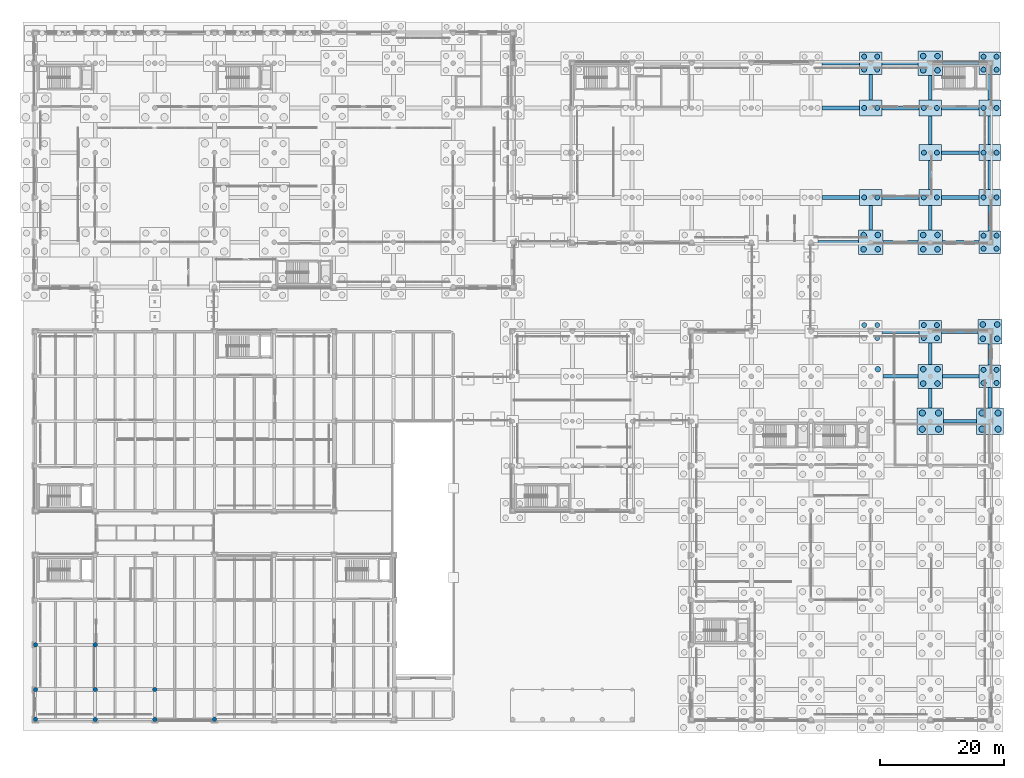
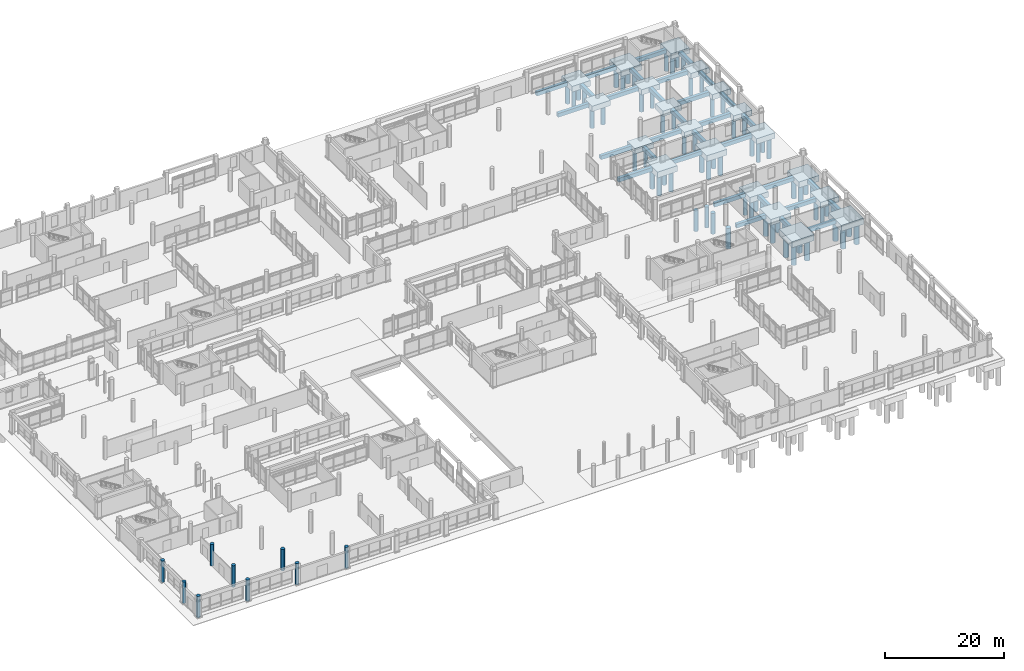
# One storey, part 9 of 196: 68 piles, 52 footings, 9 columns.
"""IFC4 building model written with IfcOpenShell, lengths in metres."""

from ifc_helpers import new_model, si_unit, direction, frame, origin, origin_2d, place, context, subcontext, project, spatial, rectangle, circle, extrude, material, material_profile, profile_set, type_object, element, save


model = new_model("IFC4")

# Units and contexts
model_context = context("Model", 3, precision=1e-05, world=origin(), true_north=direction((0.0, 1.0)))
body_context = subcontext(model_context, "Body", "Model", "MODEL_VIEW")
ifc_project = project(units=[si_unit("LENGTHUNIT", "METRE"), si_unit("AREAUNIT", "SQUARE_METRE"), si_unit("VOLUMEUNIT", "CUBIC_METRE"), si_unit("PLANEANGLEUNIT", "RADIAN"), si_unit("MASSUNIT", "GRAM", prefix="KILO")], contexts=[model_context])

# Site, building, storey
site_placement = place(None, origin())
site = spatial("IfcSite", under=ifc_project, at=site_placement, CompositionType="ELEMENT")
building_placement = place(site_placement, origin())
building = spatial("IfcBuilding", under=site, at=building_placement, Name="Asteropetra Specialist Clinic", CompositionType="ELEMENT")
storey_placement = place(building_placement, origin())
storey = spatial("IfcBuildingStorey", under=building, at=storey_placement, Name="L00", CompositionType="ELEMENT", Elevation=0.0)

# Footings
ifc_material_1 = material(Name="Concrete C35/45", Category="concrete")
ifc_material_profile_1 = material_profile(ifc_material_1, rectangle(XDim=0.60009765625, YDim=0.800048828125, at=origin_2d()), Name="FB 600x800")
ifc_profile_set_1 = profile_set([ifc_material_profile_1], Name="Concrete C35/45")
footing_type_1 = type_object("IfcFootingType", Name="FB-600x800", PredefinedType="FOOTING_BEAM", material=ifc_profile_set_1)
footing_1_placement = place(storey_placement, frame((125.89990234375, 76.800048828125, -0.840087890625), z_axis=(1.0, 0.0, 0.0), x_axis=(0.0, 1.0, 0.0)))
element("IfcFooting", 1, at=footing_1_placement, inside=storey, type_object=footing_type_1, Name="Footing Tie Beam FB-0363", PredefinedType="FOOTING_BEAM", context=body_context, shape_type="SweptSolid", body=[
    extrude(rectangle(XDim=0.60009765625, YDim=0.800048828125, at=origin_2d()), origin(), (0.0, 0.0, 1.0), 6.550048828125),
])
for number, where, z_axis, x_axis, name in (
    (2, (126.60009765625, 84.0, -0.840087890625), (1.0, 0.0, 0.0), (0.0, 1.0, 0.0), "Footing Tie Beam FB-0365"),
    (3, (126.60009765625, 98.39990234375, -0.840087890625), (1.0, 0.0, 0.0), (0.0, 1.0, 0.0), "Footing Tie Beam FB-0366"),
    (4, (126.60009765625, 105.60009765625, -0.840087890625), (1.0, 0.0, 0.0), (0.0, 1.0, 0.0), "Footing Tie Beam FB-0368"),
):
    element("IfcFooting", number, at=place(storey_placement, frame(where, z_axis=z_axis, x_axis=x_axis)), inside=storey, type_object=footing_type_1, Name=name, PredefinedType="FOOTING_BEAM", context=body_context, shape_type="SweptSolid", body=[
        extrude(rectangle(XDim=0.60009765625, YDim=0.800048828125, at=origin_2d()), origin(), (0.0, 0.0, 1.0), 6.0),
    ])
footing_2_placement = place(storey_placement, frame((136.35009765625, 55.199951171875, -0.840087890625), z_axis=(1.0, 0.0, 0.0), x_axis=(0.0, 1.0, 0.0)))
element("IfcFooting", 5, at=footing_2_placement, inside=storey, type_object=footing_type_1, Name="Footing Tie Beam FB-0384", PredefinedType="FOOTING_BEAM", context=body_context, shape_type="SweptSolid", body=[
    extrude(rectangle(XDim=0.60009765625, YDim=0.800048828125, at=origin_2d()), origin(), (0.0, 0.0, 1.0), 5.699951171875),
])
footing_3_placement = place(storey_placement, frame((136.199951171875, 62.39990234375, -0.840087890625), z_axis=(1.0, 0.0, 0.0), x_axis=(0.0, 1.0, 0.0)))
element("IfcFooting", 6, at=footing_3_placement, inside=storey, type_object=footing_type_1, Name="Footing Tie Beam FB-0386", PredefinedType="FOOTING_BEAM", context=body_context, shape_type="SweptSolid", body=[
    extrude(rectangle(XDim=0.60009765625, YDim=0.800048828125, at=origin_2d()), origin(), (0.0, 0.0, 1.0), 6.0),
])
footing_4_placement = place(storey_placement, frame((136.35009765625, 76.800048828125, -0.840087890625), z_axis=(1.0, 0.0, 0.0), x_axis=(0.0, 1.0, 0.0)))
element("IfcFooting", 7, at=footing_4_placement, inside=storey, type_object=footing_type_1, Name="Footing Tie Beam FB-0387", PredefinedType="FOOTING_BEAM", context=body_context, shape_type="SweptSolid", body=[
    extrude(rectangle(XDim=0.60009765625, YDim=0.800048828125, at=origin_2d()), origin(), (0.0, 0.0, 1.0), 5.699951171875),
])
footing_5_placement = place(storey_placement, frame((134.39990234375, 78.75, -0.840087890625), z_axis=(0.0, 1.0, 0.0), x_axis=(-1.0, 0.0, 0.0)))
element("IfcFooting", 8, at=footing_5_placement, inside=storey, type_object=footing_type_1, Name="Footing Tie Beam FB-0388", PredefinedType="FOOTING_BEAM", context=body_context, shape_type="SweptSolid", body=[
    extrude(rectangle(XDim=0.60009765625, YDim=0.800048828125, at=origin_2d()), origin(), (0.0, 0.0, 1.0), 3.949951171875),
])
for number, where, z_axis, x_axis, name in (
    (9, (136.199951171875, 84.0, -0.840087890625), (1.0, 0.0, 0.0), (0.0, 1.0, 0.0), "Footing Tie Beam FB-0389"),
    (10, (136.199951171875, 98.39990234375, -0.840087890625), (1.0, 0.0, 0.0), (0.0, 1.0, 0.0), "Footing Tie Beam FB-0390"),
):
    element("IfcFooting", number, at=place(storey_placement, frame(where, z_axis=z_axis, x_axis=x_axis)), inside=storey, type_object=footing_type_1, Name=name, PredefinedType="FOOTING_BEAM", context=body_context, shape_type="SweptSolid", body=[
        extrude(rectangle(XDim=0.60009765625, YDim=0.800048828125, at=origin_2d()), origin(), (0.0, 0.0, 1.0), 6.0),
    ])
footing_6_placement = place(storey_placement, frame((134.39990234375, 99.699951171875, -0.840087890625), z_axis=(0.0, 1.0, 0.0), x_axis=(-1.0, 0.0, 0.0)))
element("IfcFooting", 11, at=footing_6_placement, inside=storey, type_object=footing_type_1, Name="Footing Tie Beam FB-0391", PredefinedType="FOOTING_BEAM", context=body_context, shape_type="SweptSolid", body=[
    extrude(rectangle(XDim=0.60009765625, YDim=0.800048828125, at=origin_2d()), origin(), (0.0, 0.0, 1.0), 4.10009765625),
])
footing_7_placement = place(storey_placement, frame((136.199951171875, 105.60009765625, -0.840087890625), z_axis=(1.0, 0.0, 0.0), x_axis=(0.0, 1.0, 0.0)))
element("IfcFooting", 12, at=footing_7_placement, inside=storey, type_object=footing_type_1, Name="Footing Tie Beam FB-0392", PredefinedType="FOOTING_BEAM", context=body_context, shape_type="SweptSolid", body=[
    extrude(rectangle(XDim=0.60009765625, YDim=0.800048828125, at=origin_2d()), origin(), (0.0, 0.0, 1.0), 5.85009765625),
])
footing_8_placement = place(storey_placement, frame((146.14990234375, 48.0, -0.840087890625), z_axis=(1.0, 0.0, 0.0), x_axis=(0.0, 1.0, 0.0)))
element("IfcFooting", 13, at=footing_8_placement, inside=storey, type_object=footing_type_1, Name="Footing Tie Beam FB-0406", PredefinedType="FOOTING_BEAM", context=body_context, shape_type="SweptSolid", body=[
    extrude(rectangle(XDim=0.60009765625, YDim=0.800048828125, at=origin_2d()), origin(), (0.0, 0.0, 1.0), 5.300048828125),
])
footing_9_placement = place(storey_placement, frame((144.0, 50.14990234375, -0.840087890625), z_axis=(0.0, 1.0, 0.0), x_axis=(-1.0, 0.0, 0.0)))
element("IfcFooting", 14, at=footing_9_placement, inside=storey, type_object=footing_type_1, Name="Footing Tie Beam FB-0407", PredefinedType="FOOTING_BEAM", context=body_context, shape_type="SweptSolid", body=[
    extrude(rectangle(XDim=0.60009765625, YDim=0.800048828125, at=origin_2d()), origin(), (0.0, 0.0, 1.0), 3.10009765625),
])
footing_10_placement = place(storey_placement, frame((145.949951171875, 55.199951171875, -0.840087890625), z_axis=(1.0, 0.0, 0.0), x_axis=(0.0, 1.0, 0.0)))
element("IfcFooting", 15, at=footing_10_placement, inside=storey, type_object=footing_type_1, Name="Footing Tie Beam FB-0408", PredefinedType="FOOTING_BEAM", context=body_context, shape_type="SweptSolid", body=[
    extrude(rectangle(XDim=0.60009765625, YDim=0.800048828125, at=origin_2d()), origin(), (0.0, 0.0, 1.0), 5.85009765625),
])
footing_11_placement = place(storey_placement, frame((144.0, 57.14990234375, -0.840087890625), z_axis=(0.0, 1.0, 0.0), x_axis=(-1.0, 0.0, 0.0)))
element("IfcFooting", 16, at=footing_11_placement, inside=storey, type_object=footing_type_1, Name="Footing Tie Beam FB-0409", PredefinedType="FOOTING_BEAM", context=body_context, shape_type="SweptSolid", body=[
    extrude(rectangle(XDim=0.60009765625, YDim=0.800048828125, at=origin_2d()), origin(), (0.0, 0.0, 1.0), 3.4501953125),
])
footing_12_placement = place(storey_placement, frame((145.800048828125, 62.39990234375, -0.840087890625), z_axis=(1.0, 0.0, 0.0), x_axis=(0.0, 1.0, 0.0)))
element("IfcFooting", 17, at=footing_12_placement, inside=storey, type_object=footing_type_1, Name="Footing Tie Beam FB-0410", PredefinedType="FOOTING_BEAM", context=body_context, shape_type="SweptSolid", body=[
    extrude(rectangle(XDim=0.60009765625, YDim=0.800048828125, at=origin_2d()), origin(), (0.0, 0.0, 1.0), 5.849853515625),
])
footing_13_placement = place(storey_placement, frame((145.949951171875, 76.800048828125, -0.840087890625), z_axis=(1.0, 0.0, 0.0), x_axis=(0.0, 1.0, 0.0)))
element("IfcFooting", 18, at=footing_13_placement, inside=storey, type_object=footing_type_1, Name="Footing Tie Beam FB-0411", PredefinedType="FOOTING_BEAM", context=body_context, shape_type="SweptSolid", body=[
    extrude(rectangle(XDim=0.60009765625, YDim=0.800048828125, at=origin_2d()), origin(), (0.0, 0.0, 1.0), 5.85009765625),
])
footing_14_placement = place(storey_placement, frame((144.0, 78.75, -0.840087890625), z_axis=(0.0, 1.0, 0.0), x_axis=(-1.0, 0.0, 0.0)))
element("IfcFooting", 19, at=footing_14_placement, inside=storey, type_object=footing_type_1, Name="Footing Tie Beam FB-0412", PredefinedType="FOOTING_BEAM", context=body_context, shape_type="SweptSolid", body=[
    extrude(rectangle(XDim=0.60009765625, YDim=0.800048828125, at=origin_2d()), origin(), (0.0, 0.0, 1.0), 3.949951171875),
])
footing_15_placement = place(storey_placement, frame((145.800048828125, 84.0, -0.840087890625), z_axis=(1.0, 0.0, 0.0), x_axis=(0.0, 1.0, 0.0)))
element("IfcFooting", 20, at=footing_15_placement, inside=storey, type_object=footing_type_1, Name="Footing Tie Beam FB-0413", PredefinedType="FOOTING_BEAM", context=body_context, shape_type="SweptSolid", body=[
    extrude(rectangle(XDim=0.60009765625, YDim=0.800048828125, at=origin_2d()), origin(), (0.0, 0.0, 1.0), 6.0),
])
footing_16_placement = place(storey_placement, frame((144.0, 85.300048828125, -0.840087890625), z_axis=(0.0, 1.0, 0.0), x_axis=(-1.0, 0.0, 0.0)))
element("IfcFooting", 21, at=footing_16_placement, inside=storey, type_object=footing_type_1, Name="Footing Tie Beam FB-0414", PredefinedType="FOOTING_BEAM", context=body_context, shape_type="SweptSolid", body=[
    extrude(rectangle(XDim=0.60009765625, YDim=0.800048828125, at=origin_2d()), origin(), (0.0, 0.0, 1.0), 4.599853515625),
])
footing_17_placement = place(storey_placement, frame((145.800048828125, 91.199951171875, -0.840087890625), z_axis=(1.0, 0.0, 0.0), x_axis=(0.0, 1.0, 0.0)))
element("IfcFooting", 22, at=footing_17_placement, inside=storey, type_object=footing_type_1, Name="Footing Tie Beam FB-0415", PredefinedType="FOOTING_BEAM", context=body_context, shape_type="SweptSolid", body=[
    extrude(rectangle(XDim=0.60009765625, YDim=0.800048828125, at=origin_2d()), origin(), (0.0, 0.0, 1.0), 6.0),
])
footing_18_placement = place(storey_placement, frame((144.0, 92.5, -0.840087890625), z_axis=(0.0, 1.0, 0.0), x_axis=(-1.0, 0.0, 0.0)))
element("IfcFooting", 23, at=footing_18_placement, inside=storey, type_object=footing_type_1, Name="Footing Tie Beam FB-0416", PredefinedType="FOOTING_BEAM", context=body_context, shape_type="SweptSolid", body=[
    extrude(rectangle(XDim=0.60009765625, YDim=0.800048828125, at=origin_2d()), origin(), (0.0, 0.0, 1.0), 4.60009765625),
])
footing_19_placement = place(storey_placement, frame((145.800048828125, 98.39990234375, -0.840087890625), z_axis=(1.0, 0.0, 0.0), x_axis=(0.0, 1.0, 0.0)))
element("IfcFooting", 24, at=footing_19_placement, inside=storey, type_object=footing_type_1, Name="Footing Tie Beam FB-0417", PredefinedType="FOOTING_BEAM", context=body_context, shape_type="SweptSolid", body=[
    extrude(rectangle(XDim=0.60009765625, YDim=0.800048828125, at=origin_2d()), origin(), (0.0, 0.0, 1.0), 6.0),
])
footing_20_placement = place(storey_placement, frame((144.0, 99.699951171875, -0.840087890625), z_axis=(0.0, 1.0, 0.0), x_axis=(-1.0, 0.0, 0.0)))
element("IfcFooting", 25, at=footing_20_placement, inside=storey, type_object=footing_type_1, Name="Footing Tie Beam FB-0418", PredefinedType="FOOTING_BEAM", context=body_context, shape_type="SweptSolid", body=[
    extrude(rectangle(XDim=0.60009765625, YDim=0.800048828125, at=origin_2d()), origin(), (0.0, 0.0, 1.0), 3.949951171875),
])
footing_21_placement = place(storey_placement, frame((145.949951171875, 105.60009765625, -0.840087890625), z_axis=(1.0, 0.0, 0.0), x_axis=(0.0, 1.0, 0.0)))
element("IfcFooting", 26, at=footing_21_placement, inside=storey, type_object=footing_type_1, Name="Footing Tie Beam FB-0419", PredefinedType="FOOTING_BEAM", context=body_context, shape_type="SweptSolid", body=[
    extrude(rectangle(XDim=0.60009765625, YDim=0.800048828125, at=origin_2d()), origin(), (0.0, 0.0, 1.0), 5.85009765625),
])
footing_22_placement = place(storey_placement, frame((153.60009765625, 50.14990234375, -0.840087890625), z_axis=(0.0, 1.0, 0.0), x_axis=(-1.0, 0.0, 0.0)))
element("IfcFooting", 27, at=footing_22_placement, inside=storey, type_object=footing_type_1, Name="Footing Tie Beam FB-0426", PredefinedType="FOOTING_BEAM", context=body_context, shape_type="SweptSolid", body=[
    extrude(rectangle(XDim=0.60009765625, YDim=0.800048828125, at=origin_2d()), origin(), (0.0, 0.0, 1.0), 3.25),
])
footing_23_placement = place(storey_placement, frame((153.60009765625, 57.0, -0.840087890625), z_axis=(0.0, 1.0, 0.0), x_axis=(-1.0, 0.0, 0.0)))
element("IfcFooting", 28, at=footing_23_placement, inside=storey, type_object=footing_type_1, Name="Footing Tie Beam FB-0427", PredefinedType="FOOTING_BEAM", context=body_context, shape_type="SweptSolid", body=[
    extrude(rectangle(XDim=0.60009765625, YDim=0.800048828125, at=origin_2d()), origin(), (0.0, 0.0, 1.0), 3.449951171875),
])
footing_24_placement = place(storey_placement, frame((153.60009765625, 78.60009765625, -0.840087890625), z_axis=(0.0, 1.0, 0.0), x_axis=(-1.0, 0.0, 0.0)))
element("IfcFooting", 29, at=footing_24_placement, inside=storey, type_object=footing_type_1, Name="Footing Tie Beam FB-0428", PredefinedType="FOOTING_BEAM", context=body_context, shape_type="SweptSolid", body=[
    extrude(rectangle(XDim=0.60009765625, YDim=0.800048828125, at=origin_2d()), origin(), (0.0, 0.0, 1.0), 4.099853515625),
])
footing_25_placement = place(storey_placement, frame((153.60009765625, 85.300048828125, -0.840087890625), z_axis=(0.0, 1.0, 0.0), x_axis=(-1.0, 0.0, 0.0)))
element("IfcFooting", 30, at=footing_25_placement, inside=storey, type_object=footing_type_1, Name="Footing Tie Beam FB-0429", PredefinedType="FOOTING_BEAM", context=body_context, shape_type="SweptSolid", body=[
    extrude(rectangle(XDim=0.60009765625, YDim=0.800048828125, at=origin_2d()), origin(), (0.0, 0.0, 1.0), 4.599853515625),
])
footing_26_placement = place(storey_placement, frame((153.60009765625, 92.5, -0.840087890625), z_axis=(0.0, 1.0, 0.0), x_axis=(-1.0, 0.0, 0.0)))
element("IfcFooting", 31, at=footing_26_placement, inside=storey, type_object=footing_type_1, Name="Footing Tie Beam FB-0430", PredefinedType="FOOTING_BEAM", context=body_context, shape_type="SweptSolid", body=[
    extrude(rectangle(XDim=0.60009765625, YDim=0.800048828125, at=origin_2d()), origin(), (0.0, 0.0, 1.0), 4.60009765625),
])
footing_27_placement = place(storey_placement, frame((153.60009765625, 99.699951171875, -0.840087890625), z_axis=(0.0, 1.0, 0.0), x_axis=(-1.0, 0.0, 0.0)))
element("IfcFooting", 32, at=footing_27_placement, inside=storey, type_object=footing_type_1, Name="Footing Tie Beam FB-0431", PredefinedType="FOOTING_BEAM", context=body_context, shape_type="SweptSolid", body=[
    extrude(rectangle(XDim=0.60009765625, YDim=0.800048828125, at=origin_2d()), origin(), (0.0, 0.0, 1.0), 4.10009765625),
])
ifc_material_2 = material(Name="Concrete C35/45", Category="concrete")
footing_type_2 = type_object("IfcFootingType", Name="PC-2600", PredefinedType="PILE_CAP", material=ifc_material_2)
for number, where, z_axis, x_axis, name in (
    (33, (134.39990234375, 84.0, -1.5400390625), (0.0, 0.0, 1.0), (1.0, 0.0, 0.0), "Pile Cap PC-01-258"),
    (34, (134.39990234375, 98.39990234375, -1.5400390625), (0.0, 0.0, 1.0), (1.0, 0.0, 0.0), "Pile Cap PC-01-259"),
    (35, (144.0, 84.0, -1.5400390625), (0.0, 0.0, 1.0), (1.0, 0.0, 0.0), "Pile Cap PC-01-272"),
    (36, (144.0, 91.199951171875, -1.5400390625), (0.0, 0.0, 1.0), (1.0, 0.0, 0.0), "Pile Cap PC-01-273"),
    (37, (144.0, 98.39990234375, -1.5400390625), (0.0, 0.0, 1.0), (1.0, 0.0, 0.0), "Pile Cap PC-01-274"),
    (38, (153.60009765625, 84.0, -1.5400390625), (0.0, 0.0, 1.0), (1.0, 0.0, 0.0), "Pile Cap PC-01-287"),
    (39, (153.60009765625, 91.199951171875, -1.5400390625), (0.0, 0.0, 1.0), (1.0, 0.0, 0.0), "Pile Cap PC-01-288"),
    (40, (153.60009765625, 98.39990234375, -1.5400390625), (0.0, 0.0, 1.0), (1.0, 0.0, 0.0), "Pile Cap PC-01-289"),
):
    element("IfcFooting", number, at=place(storey_placement, frame(where, z_axis=z_axis, x_axis=x_axis)), inside=storey, type_object=footing_type_2, Name=name, PredefinedType="PILE_CAP", context=body_context, shape_type="SweptSolid", body=[
        extrude(rectangle(XDim=3.60009765625, YDim=2.60009765625, at=origin_2d()), origin(), (0.0, 0.0, 1.0), 1.10009765625),
    ])
ifc_material_3 = material(Name="Concrete C35/45", Category="concrete")
footing_type_3 = type_object("IfcFootingType", Name="PC-2800", PredefinedType="PILE_CAP", material=ifc_material_3)
for number, where, z_axis, x_axis, name in (
    (41, (134.39990234375, 105.60009765625, -1.58984375), (0.0, 0.0, 1.0), (1.0, 0.0, 0.0), "Pile Cap PC-02-260"),
    (42, (144.0, 62.39990234375, -1.58984375), (0.0, 0.0, 1.0), (1.0, 0.0, 0.0), "Pile Cap PC-02-270"),
    (43, (153.60009765625, 55.199951171875, -1.58984375), (0.0, 0.0, 1.0), (1.0, 0.0, 0.0), "Pile Cap PC-02-284"),
    (44, (153.60009765625, 76.800048828125, -1.58984375), (0.0, 0.0, 1.0), (1.0, 0.0, 0.0), "Pile Cap PC-02-286"),
    (45, (153.60009765625, 105.60009765625, -1.58984375), (0.0, 0.0, 1.0), (1.0, 0.0, 0.0), "Pile Cap PC-02-290"),
):
    element("IfcFooting", number, at=place(storey_placement, frame(where, z_axis=z_axis, x_axis=x_axis)), inside=storey, type_object=footing_type_3, Name=name, PredefinedType="PILE_CAP", context=body_context, shape_type="SweptSolid", body=[
        extrude(rectangle(XDim=3.60009765625, YDim=3.60009765625, at=origin_2d()), origin(), (0.0, 0.0, 1.0), 1.14990234375),
    ])
ifc_material_4 = material(Name="Concrete C35/45", Category="concrete")
footing_type_4 = type_object("IfcFootingType", Name="PC-3000", PredefinedType="PILE_CAP", material=ifc_material_4)
for number, where, z_axis, x_axis, name in (
    (46, (134.39990234375, 76.800048828125, -1.64013671875), (0.0, 0.0, 1.0), (1.0, 0.0, 0.0), "Pile Cap PC-03-257"),
    (47, (144.0, 55.199951171875, -1.64013671875), (0.0, 0.0, 1.0), (1.0, 0.0, 0.0), "Pile Cap PC-03-269"),
    (48, (144.0, 76.800048828125, -1.64013671875), (0.0, 0.0, 1.0), (1.0, 0.0, 0.0), "Pile Cap PC-03-271"),
    (49, (144.0, 105.60009765625, -1.64013671875), (0.0, 0.0, 1.0), (1.0, 0.0, 0.0), "Pile Cap PC-03-275"),
    (50, (153.60009765625, 62.39990234375, -1.64013671875), (0.0, 0.0, 1.0), (1.0, 0.0, 0.0), "Pile Cap PC-03-285"),
):
    element("IfcFooting", number, at=place(storey_placement, frame(where, z_axis=z_axis, x_axis=x_axis)), inside=storey, type_object=footing_type_4, Name=name, PredefinedType="PILE_CAP", context=body_context, shape_type="SweptSolid", body=[
        extrude(rectangle(XDim=3.89990234375, YDim=3.89990234375, at=origin_2d()), origin(), (0.0, 0.0, 1.0), 1.199951171875),
    ])
ifc_material_5 = material(Name="Concrete C35/45", Category="concrete")
footing_type_5 = type_object("IfcFootingType", Name="PC-3400", PredefinedType="PILE_CAP", material=ifc_material_5)
for number, where, z_axis, x_axis, name in (
    (51, (144.0, 48.0, -1.68994140625), (0.0, 0.0, 1.0), (1.0, 0.0, 0.0), "Pile Cap PC-05-268"),
    (52, (153.60009765625, 48.0, -1.68994140625), (0.0, 0.0, 1.0), (1.0, 0.0, 0.0), "Pile Cap PC-05-283"),
):
    element("IfcFooting", number, at=place(storey_placement, frame(where, z_axis=z_axis, x_axis=x_axis)), inside=storey, type_object=footing_type_5, Name=name, PredefinedType="PILE_CAP", context=body_context, shape_type="SweptSolid", body=[
        extrude(rectangle(XDim=4.300048828125, YDim=4.300048828125, at=origin_2d()), origin(), (0.0, 0.0, 1.0), 1.25),
    ])

# Piles
ifc_material_6 = material(Name="Concrete C35/45", Category="concrete")
ifc_material_profile_2 = material_profile(ifc_material_6, circle(Radius=0.5, at=origin_2d()), Name="PILE D1000")
ifc_profile_set_2 = profile_set([ifc_material_profile_2], Name="Concrete C35/45")
pile_type_1 = type_object("IfcPileType", Name="PILE-B1000", PredefinedType="BORED", material=ifc_profile_set_2)
for number, where, z_axis, x_axis, name in (
    (53, (142.699951171875, 46.699951171875, -1.590087890625), (0.0, 0.0, -1.0), (1.0, 0.0, 0.0), "Bored Pile PPL03-268-1"),
    (54, (145.300048828125, 46.699951171875, -1.590087890625), (0.0, 0.0, -1.0), (1.0, 0.0, 0.0), "Bored Pile PPL03-268-2"),
    (55, (142.699951171875, 49.300048828125, -1.590087890625), (0.0, 0.0, -1.0), (1.0, 0.0, 0.0), "Bored Pile PPL03-268-3"),
    (56, (145.300048828125, 49.300048828125, -1.590087890625), (0.0, 0.0, -1.0), (1.0, 0.0, 0.0), "Bored Pile PPL03-268-4"),
    (57, (152.300048828125, 46.699951171875, -1.590087890625), (0.0, 0.0, -1.0), (1.0, 0.0, 0.0), "Bored Pile PPL03-283-1"),
    (58, (154.89990234375, 46.699951171875, -1.590087890625), (0.0, 0.0, -1.0), (1.0, 0.0, 0.0), "Bored Pile PPL03-283-2"),
    (59, (152.300048828125, 49.300048828125, -1.590087890625), (0.0, 0.0, -1.0), (1.0, 0.0, 0.0), "Bored Pile PPL03-283-3"),
    (60, (154.89990234375, 49.300048828125, -1.590087890625), (0.0, 0.0, -1.0), (1.0, 0.0, 0.0), "Bored Pile PPL03-283-4"),
):
    element("IfcPile", number, at=place(storey_placement, frame(where, z_axis=z_axis, x_axis=x_axis)), inside=storey, type_object=pile_type_1, Name=name, PredefinedType="BORED", context=body_context, shape_type="SweptSolid", body=[
        extrude(circle(Radius=0.5, at=origin_2d()), origin(), (0.0, 0.0, 1.0), 4.2099609375),
    ])
ifc_material_7 = material(Name="Concrete C35/45", Category="concrete")
ifc_material_profile_3 = material_profile(ifc_material_7, circle(Radius=0.39990234375, at=origin_2d()), Name="PILE D800")
ifc_profile_set_3 = profile_set([ifc_material_profile_3], Name="Concrete C35/45")
pile_type_2 = type_object("IfcPileType", Name="PILE-B800", PredefinedType="BORED", material=ifc_profile_set_3)
for number, where, z_axis, x_axis, name in (
    (61, (135.449951171875, 61.35009765625, -1.489990234375), (0.0, 0.0, -1.0), (1.0, 0.0, 0.0), "Bored Pile PPL01-256-2"),
    (62, (133.35009765625, 63.449951171875, -1.489990234375), (0.0, 0.0, -1.0), (1.0, 0.0, 0.0), "Bored Pile PPL01-256-3"),
    (63, (135.449951171875, 63.449951171875, -1.489990234375), (0.0, 0.0, -1.0), (1.0, 0.0, 0.0), "Bored Pile PPL01-256-4"),
):
    element("IfcPile", number, at=place(storey_placement, frame(where, z_axis=z_axis, x_axis=x_axis)), inside=storey, type_object=pile_type_2, Name=name, PredefinedType="BORED", context=body_context, shape_type="SweptSolid", body=[
        extrude(circle(Radius=0.39990234375, at=origin_2d()), origin(), (0.0, 0.0, 1.0), 4.31005859375),
    ])
for number, where, z_axis, x_axis, name in (
    (64, (133.35009765625, 84.0, -1.43994140625), (0.0, 0.0, -1.0), (1.0, 0.0, 0.0), "Bored Pile PPL01-258-1"),
    (65, (135.449951171875, 84.0, -1.43994140625), (0.0, 0.0, -1.0), (1.0, 0.0, 0.0), "Bored Pile PPL01-258-2"),
    (66, (133.35009765625, 98.39990234375, -1.43994140625), (0.0, 0.0, -1.0), (1.0, 0.0, 0.0), "Bored Pile PPL01-259-1"),
    (67, (135.449951171875, 98.39990234375, -1.43994140625), (0.0, 0.0, -1.0), (1.0, 0.0, 0.0), "Bored Pile PPL01-259-2"),
):
    element("IfcPile", number, at=place(storey_placement, frame(where, z_axis=z_axis, x_axis=x_axis)), inside=storey, type_object=pile_type_2, Name=name, PredefinedType="BORED", context=body_context, shape_type="SweptSolid", body=[
        extrude(circle(Radius=0.39990234375, at=origin_2d()), origin(), (0.0, 0.0, 1.0), 4.360107421875),
    ])
for number, where, z_axis, x_axis, name in (
    (68, (133.35009765625, 104.550048828125, -1.489990234375), (0.0, 0.0, -1.0), (1.0, 0.0, 0.0), "Bored Pile PPL01-260-1"),
    (69, (135.449951171875, 104.550048828125, -1.489990234375), (0.0, 0.0, -1.0), (1.0, 0.0, 0.0), "Bored Pile PPL01-260-2"),
    (70, (133.35009765625, 106.64990234375, -1.489990234375), (0.0, 0.0, -1.0), (1.0, 0.0, 0.0), "Bored Pile PPL01-260-3"),
    (71, (135.449951171875, 106.64990234375, -1.489990234375), (0.0, 0.0, -1.0), (1.0, 0.0, 0.0), "Bored Pile PPL01-260-4"),
    (72, (142.949951171875, 61.35009765625, -1.489990234375), (0.0, 0.0, -1.0), (1.0, 0.0, 0.0), "Bored Pile PPL01-270-1"),
    (73, (145.050048828125, 61.35009765625, -1.489990234375), (0.0, 0.0, -1.0), (1.0, 0.0, 0.0), "Bored Pile PPL01-270-2"),
    (74, (142.949951171875, 63.449951171875, -1.489990234375), (0.0, 0.0, -1.0), (1.0, 0.0, 0.0), "Bored Pile PPL01-270-3"),
    (75, (145.050048828125, 63.449951171875, -1.489990234375), (0.0, 0.0, -1.0), (1.0, 0.0, 0.0), "Bored Pile PPL01-270-4"),
):
    element("IfcPile", number, at=place(storey_placement, frame(where, z_axis=z_axis, x_axis=x_axis)), inside=storey, type_object=pile_type_2, Name=name, PredefinedType="BORED", context=body_context, shape_type="SweptSolid", body=[
        extrude(circle(Radius=0.39990234375, at=origin_2d()), origin(), (0.0, 0.0, 1.0), 4.31005859375),
    ])
for number, where, z_axis, x_axis, name in (
    (76, (142.949951171875, 84.0, -1.43994140625), (0.0, 0.0, -1.0), (1.0, 0.0, 0.0), "Bored Pile PPL01-272-1"),
    (77, (145.050048828125, 84.0, -1.43994140625), (0.0, 0.0, -1.0), (1.0, 0.0, 0.0), "Bored Pile PPL01-272-2"),
    (78, (142.949951171875, 91.199951171875, -1.43994140625), (0.0, 0.0, -1.0), (1.0, 0.0, 0.0), "Bored Pile PPL01-273-1"),
    (79, (145.050048828125, 91.199951171875, -1.43994140625), (0.0, 0.0, -1.0), (1.0, 0.0, 0.0), "Bored Pile PPL01-273-2"),
    (80, (142.949951171875, 98.39990234375, -1.43994140625), (0.0, 0.0, -1.0), (1.0, 0.0, 0.0), "Bored Pile PPL01-274-1"),
    (81, (145.050048828125, 98.39990234375, -1.43994140625), (0.0, 0.0, -1.0), (1.0, 0.0, 0.0), "Bored Pile PPL01-274-2"),
):
    element("IfcPile", number, at=place(storey_placement, frame(where, z_axis=z_axis, x_axis=x_axis)), inside=storey, type_object=pile_type_2, Name=name, PredefinedType="BORED", context=body_context, shape_type="SweptSolid", body=[
        extrude(circle(Radius=0.39990234375, at=origin_2d()), origin(), (0.0, 0.0, 1.0), 4.360107421875),
    ])
for number, where, z_axis, x_axis, name in (
    (82, (152.550048828125, 54.14990234375, -1.489990234375), (0.0, 0.0, -1.0), (1.0, 0.0, 0.0), "Bored Pile PPL01-284-1"),
    (83, (154.64990234375, 54.14990234375, -1.489990234375), (0.0, 0.0, -1.0), (1.0, 0.0, 0.0), "Bored Pile PPL01-284-2"),
    (84, (152.550048828125, 56.25, -1.489990234375), (0.0, 0.0, -1.0), (1.0, 0.0, 0.0), "Bored Pile PPL01-284-3"),
    (85, (154.64990234375, 56.25, -1.489990234375), (0.0, 0.0, -1.0), (1.0, 0.0, 0.0), "Bored Pile PPL01-284-4"),
    (86, (152.550048828125, 75.75, -1.489990234375), (0.0, 0.0, -1.0), (1.0, 0.0, 0.0), "Bored Pile PPL01-286-1"),
    (87, (154.64990234375, 75.75, -1.489990234375), (0.0, 0.0, -1.0), (1.0, 0.0, 0.0), "Bored Pile PPL01-286-2"),
    (88, (152.550048828125, 77.85009765625, -1.489990234375), (0.0, 0.0, -1.0), (1.0, 0.0, 0.0), "Bored Pile PPL01-286-3"),
    (89, (154.64990234375, 77.85009765625, -1.489990234375), (0.0, 0.0, -1.0), (1.0, 0.0, 0.0), "Bored Pile PPL01-286-4"),
):
    element("IfcPile", number, at=place(storey_placement, frame(where, z_axis=z_axis, x_axis=x_axis)), inside=storey, type_object=pile_type_2, Name=name, PredefinedType="BORED", context=body_context, shape_type="SweptSolid", body=[
        extrude(circle(Radius=0.39990234375, at=origin_2d()), origin(), (0.0, 0.0, 1.0), 4.31005859375),
    ])
for number, where, z_axis, x_axis, name in (
    (90, (152.550048828125, 84.0, -1.43994140625), (0.0, 0.0, -1.0), (1.0, 0.0, 0.0), "Bored Pile PPL01-287-1"),
    (91, (154.64990234375, 84.0, -1.43994140625), (0.0, 0.0, -1.0), (1.0, 0.0, 0.0), "Bored Pile PPL01-287-2"),
    (92, (152.550048828125, 91.199951171875, -1.43994140625), (0.0, 0.0, -1.0), (1.0, 0.0, 0.0), "Bored Pile PPL01-288-1"),
    (93, (154.64990234375, 91.199951171875, -1.43994140625), (0.0, 0.0, -1.0), (1.0, 0.0, 0.0), "Bored Pile PPL01-288-2"),
    (94, (152.550048828125, 98.39990234375, -1.43994140625), (0.0, 0.0, -1.0), (1.0, 0.0, 0.0), "Bored Pile PPL01-289-1"),
    (95, (154.64990234375, 98.39990234375, -1.43994140625), (0.0, 0.0, -1.0), (1.0, 0.0, 0.0), "Bored Pile PPL01-289-2"),
):
    element("IfcPile", number, at=place(storey_placement, frame(where, z_axis=z_axis, x_axis=x_axis)), inside=storey, type_object=pile_type_2, Name=name, PredefinedType="BORED", context=body_context, shape_type="SweptSolid", body=[
        extrude(circle(Radius=0.39990234375, at=origin_2d()), origin(), (0.0, 0.0, 1.0), 4.360107421875),
    ])
for number, where, z_axis, x_axis, name in (
    (96, (152.550048828125, 104.550048828125, -1.489990234375), (0.0, 0.0, -1.0), (1.0, 0.0, 0.0), "Bored Pile PPL01-290-1"),
    (97, (154.64990234375, 104.550048828125, -1.489990234375), (0.0, 0.0, -1.0), (1.0, 0.0, 0.0), "Bored Pile PPL01-290-2"),
    (98, (152.550048828125, 106.64990234375, -1.489990234375), (0.0, 0.0, -1.0), (1.0, 0.0, 0.0), "Bored Pile PPL01-290-3"),
    (99, (154.64990234375, 106.64990234375, -1.489990234375), (0.0, 0.0, -1.0), (1.0, 0.0, 0.0), "Bored Pile PPL01-290-4"),
):
    element("IfcPile", number, at=place(storey_placement, frame(where, z_axis=z_axis, x_axis=x_axis)), inside=storey, type_object=pile_type_2, Name=name, PredefinedType="BORED", context=body_context, shape_type="SweptSolid", body=[
        extrude(circle(Radius=0.39990234375, at=origin_2d()), origin(), (0.0, 0.0, 1.0), 4.31005859375),
    ])
ifc_material_8 = material(Name="Concrete C35/45", Category="concrete")
ifc_material_profile_4 = material_profile(ifc_material_8, circle(Radius=0.449951171875, at=origin_2d()), Name="PILE D900")
ifc_profile_set_4 = profile_set([ifc_material_profile_4], Name="Concrete C35/45")
pile_type_3 = type_object("IfcPileType", Name="PILE-B900", PredefinedType="BORED", material=ifc_profile_set_4)
for number, where, z_axis, x_axis, name in (
    (100, (135.550048828125, 56.35009765625, -1.5400390625), (0.0, 0.0, -1.0), (1.0, 0.0, 0.0), "Bored Pile PPL02-255-4"),
    (101, (133.25, 75.64990234375, -1.5400390625), (0.0, 0.0, -1.0), (1.0, 0.0, 0.0), "Bored Pile PPL02-257-1"),
    (102, (135.550048828125, 75.64990234375, -1.5400390625), (0.0, 0.0, -1.0), (1.0, 0.0, 0.0), "Bored Pile PPL02-257-2"),
    (103, (133.25, 77.949951171875, -1.5400390625), (0.0, 0.0, -1.0), (1.0, 0.0, 0.0), "Bored Pile PPL02-257-3"),
    (104, (135.550048828125, 77.949951171875, -1.5400390625), (0.0, 0.0, -1.0), (1.0, 0.0, 0.0), "Bored Pile PPL02-257-4"),
    (105, (142.85009765625, 54.050048828125, -1.5400390625), (0.0, 0.0, -1.0), (1.0, 0.0, 0.0), "Bored Pile PPL02-269-1"),
    (106, (145.14990234375, 54.050048828125, -1.5400390625), (0.0, 0.0, -1.0), (1.0, 0.0, 0.0), "Bored Pile PPL02-269-2"),
    (107, (142.85009765625, 56.35009765625, -1.5400390625), (0.0, 0.0, -1.0), (1.0, 0.0, 0.0), "Bored Pile PPL02-269-3"),
    (108, (145.14990234375, 56.35009765625, -1.5400390625), (0.0, 0.0, -1.0), (1.0, 0.0, 0.0), "Bored Pile PPL02-269-4"),
    (109, (142.85009765625, 75.64990234375, -1.5400390625), (0.0, 0.0, -1.0), (1.0, 0.0, 0.0), "Bored Pile PPL02-271-1"),
    (110, (145.14990234375, 75.64990234375, -1.5400390625), (0.0, 0.0, -1.0), (1.0, 0.0, 0.0), "Bored Pile PPL02-271-2"),
    (111, (142.85009765625, 77.949951171875, -1.5400390625), (0.0, 0.0, -1.0), (1.0, 0.0, 0.0), "Bored Pile PPL02-271-3"),
    (112, (145.14990234375, 77.949951171875, -1.5400390625), (0.0, 0.0, -1.0), (1.0, 0.0, 0.0), "Bored Pile PPL02-271-4"),
    (113, (142.85009765625, 104.449951171875, -1.5400390625), (0.0, 0.0, -1.0), (1.0, 0.0, 0.0), "Bored Pile PPL02-275-1"),
    (114, (145.14990234375, 104.449951171875, -1.5400390625), (0.0, 0.0, -1.0), (1.0, 0.0, 0.0), "Bored Pile PPL02-275-2"),
    (115, (142.85009765625, 106.75, -1.5400390625), (0.0, 0.0, -1.0), (1.0, 0.0, 0.0), "Bored Pile PPL02-275-3"),
    (116, (145.14990234375, 106.75, -1.5400390625), (0.0, 0.0, -1.0), (1.0, 0.0, 0.0), "Bored Pile PPL02-275-4"),
    (117, (152.449951171875, 61.25, -1.5400390625), (0.0, 0.0, -1.0), (1.0, 0.0, 0.0), "Bored Pile PPL02-285-1"),
    (118, (154.75, 61.25, -1.5400390625), (0.0, 0.0, -1.0), (1.0, 0.0, 0.0), "Bored Pile PPL02-285-2"),
    (119, (152.449951171875, 63.550048828125, -1.5400390625), (0.0, 0.0, -1.0), (1.0, 0.0, 0.0), "Bored Pile PPL02-285-3"),
    (120, (154.75, 63.550048828125, -1.5400390625), (0.0, 0.0, -1.0), (1.0, 0.0, 0.0), "Bored Pile PPL02-285-4"),
):
    element("IfcPile", number, at=place(storey_placement, frame(where, z_axis=z_axis, x_axis=x_axis)), inside=storey, type_object=pile_type_3, Name=name, PredefinedType="BORED", context=body_context, shape_type="SweptSolid", body=[
        extrude(circle(Radius=0.449951171875, at=origin_2d()), origin(), (0.0, 0.0, 1.0), 4.260009765625),
    ])

# Columns
ifc_material_9 = material(Name="Concrete C35/45", Category="concrete")
ifc_material_profile_5 = material_profile(ifc_material_9, circle(Radius=0.35009765625, at=origin_2d()), Name="RCC D700")
ifc_profile_set_5 = profile_set([ifc_material_profile_5], Name="Concrete C35/45")
column_type = type_object("IfcColumnType", Name="COL-DORIC700", PredefinedType="COLUMN", material=ifc_profile_set_5)
for number, where, z_axis, x_axis, name in (
    (121, (0.0, 0.0, 0.0), (0.0, 0.0, 1.0), (1.0, 0.0, 0.0), "Column CCOL13-0002"),
    (122, (0.0, 4.800048828125, 0.0), (0.0, 0.0, 1.0), (1.0, 0.0, 0.0), "Column CCOL13-0005"),
    (123, (0.0, 12.0, 0.0), (0.0, 0.0, 1.0), (1.0, 0.0, 0.0), "Column CCOL13-0008"),
    (124, (9.60009765625, 0.0, 0.0), (0.0, 0.0, 1.0), (1.0, 0.0, 0.0), "Column CCOL13-0082"),
    (125, (9.60009765625, 4.800048828125, 0.0), (0.0, 0.0, 1.0), (1.0, 0.0, 0.0), "Column CCOL13-0085"),
    (126, (9.60009765625, 12.0, 0.0), (0.0, 0.0, 1.0), (1.0, 0.0, 0.0), "Column CCOL13-0088"),
    (127, (19.199951171875, 0.0, 0.0), (0.0, 0.0, 1.0), (1.0, 0.0, 0.0), "Column CCOL13-0178"),
    (128, (19.199951171875, 4.800048828125, 0.0), (0.0, 0.0, 1.0), (1.0, 0.0, 0.0), "Column CCOL13-0181"),
    (129, (28.800048828125, 0.0, 0.0), (0.0, 0.0, 1.0), (1.0, 0.0, 0.0), "Column CCOL13-0278"),
):
    element("IfcColumn", number, at=place(storey_placement, frame(where, z_axis=z_axis, x_axis=x_axis)), inside=storey, type_object=column_type, Name=name, PredefinedType="COLUMN", context=body_context, shape_type="SweptSolid", body=[
        extrude(circle(Radius=0.35009765625, at=origin_2d()), origin(), (0.0, 0.0, 1.0), 4.419921875),
    ])

save(model, "model.ifc")
